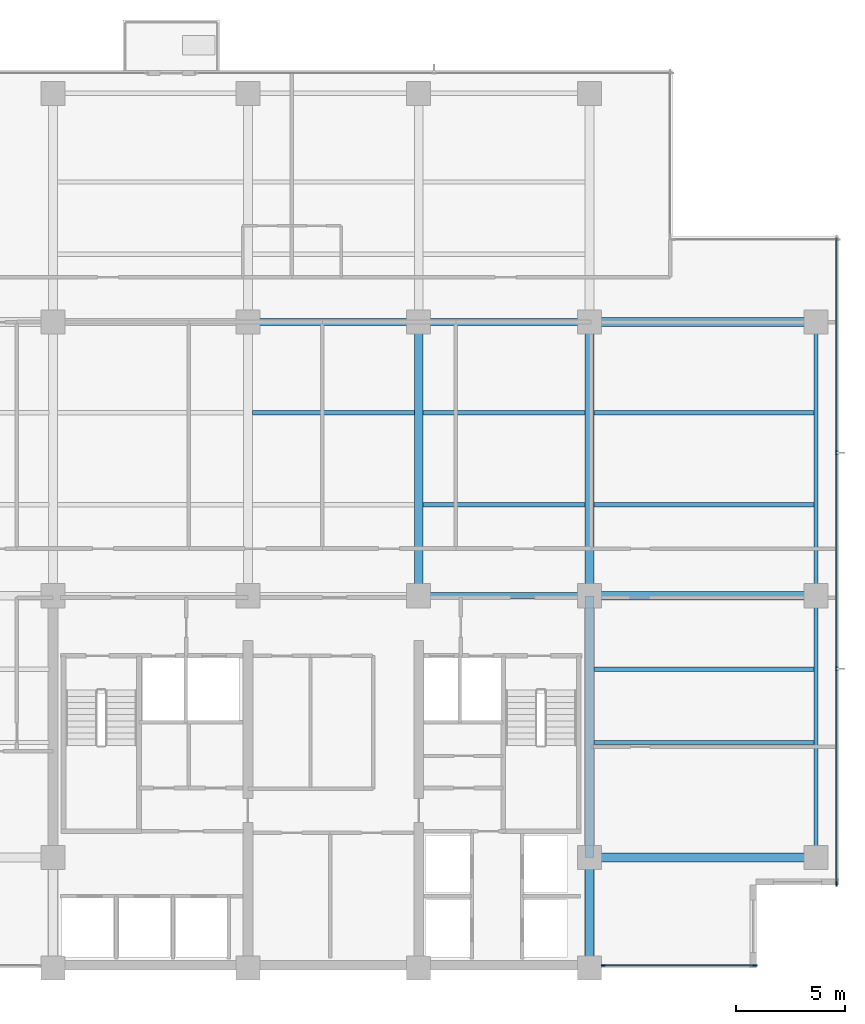
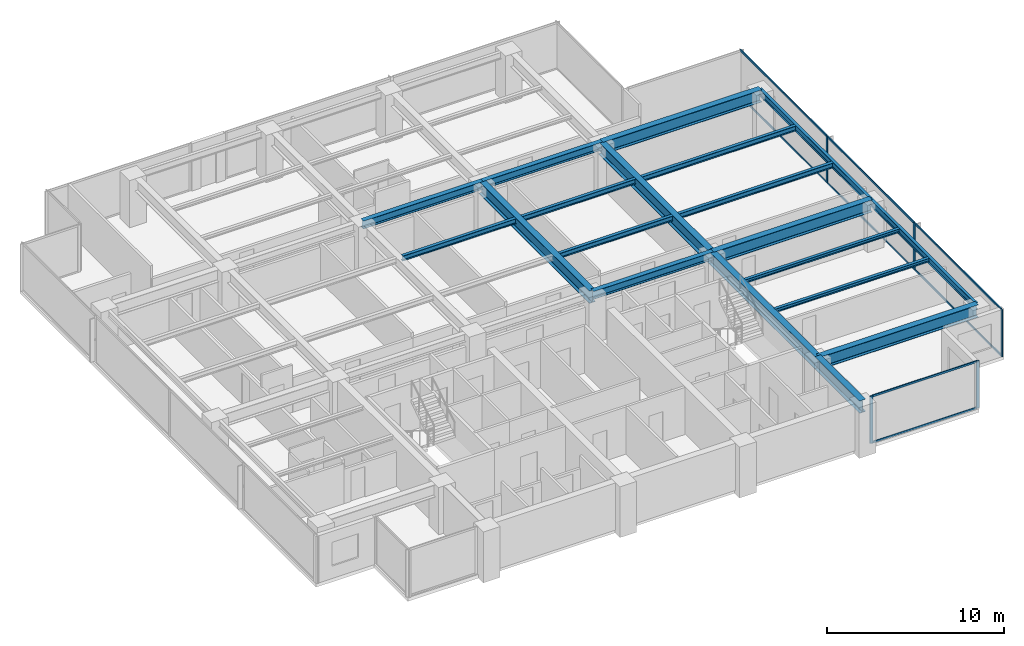
# One storey, part 3 of 14: 19 beams, 13 members, 2 elements without a shape of their own.
"""IFC4 building model written with IfcOpenShell, lengths in metres."""

from ifc_helpers import new_model, si_unit, direction, frame, origin, origin_2d, place, context, subcontext, project, spatial, rectangle, i_section, extrude, material, layer, layer_set, material_profile, profile_set, type_object, element, aggregate, save


model = new_model("IFC4")

# Units and contexts
model_context = context("Model", 3, precision=1e-05, world=origin(), true_north=direction((0.0, 1.0)))
body_context = subcontext(model_context, "Body", "Model", "MODEL_VIEW")
ifc_project = project(units=[si_unit("LENGTHUNIT", "METRE"), si_unit("AREAUNIT", "SQUARE_METRE"), si_unit("VOLUMEUNIT", "CUBIC_METRE"), si_unit("PLANEANGLEUNIT", "RADIAN"), si_unit("MASSUNIT", "GRAM", prefix="KILO")], contexts=[model_context])

# Site, building, storey
site_placement = place(None, origin())
site = spatial("IfcSite", under=ifc_project, at=site_placement, CompositionType="ELEMENT")
building_placement = place(site_placement, origin())
building = spatial("IfcBuilding", under=site, at=building_placement, Name="Qalmaran Belvedere Hotel", CompositionType="ELEMENT")
storey_placement = place(building_placement, frame((0.0, 0.0, 177.10009765625)))
storey = spatial("IfcBuildingStorey", under=building, at=storey_placement, Name="L45", CompositionType="ELEMENT", Elevation=177.10009765625)

# Beams
ifc_material_1 = material(Name="Steel S355JR", Category="steel")
ifc_material_profile_1 = material_profile(ifc_material_1, i_section(OverallWidth=0.201904296875, OverallDepth=0.2470703125, WebThickness=0.00732421875, FlangeThickness=0.010986328125, FilletRadius=0.011962890625, at=origin_2d()), Name="W250X49")
ifc_profile_set_1 = profile_set([ifc_material_profile_1], Name="Steel S355JR")
beam_type_1 = type_object("IfcBeamType", Name="BM-JST-W250X49", PredefinedType="JOIST", material=ifc_profile_set_1)
for number, where, z_axis, x_axis, name in (
    (1, (44.998046875, 13.800048828125, 3.12646484375), (1.0, 0.0, 0.0), (0.0, 1.0, 0.0), "L45 East Wing Joist 039"),
    (2, (44.998046875, 17.14990234375, 3.12646484375), (1.0, 0.0, 0.0), (0.0, 1.0, 0.0), "L45 East Wing Joist 041"),
):
    element("IfcBeam", number, at=place(storey_placement, frame(where, z_axis=z_axis, x_axis=x_axis)), inside=storey, type_object=beam_type_1, Name=name, PredefinedType="JOIST", context=body_context, shape_type="SweptSolid", body=[
        extrude(i_section(OverallWidth=0.201904296875, OverallDepth=0.2470703125, WebThickness=0.00732421875, FlangeThickness=0.010986328125, FilletRadius=0.011962890625, at=origin_2d()), origin(), (0.0, 0.0, 1.0), 10.057861328125),
    ])
ifc_material_profile_2 = material_profile(ifc_material_1, i_section(OverallWidth=0.39990234375, OverallDepth=0.85498046875, WebThickness=0.018310546875, FlangeThickness=0.029296875, FilletRadius=0.02392578125, at=origin_2d()), Name="W840X299")
ifc_profile_set_2 = profile_set([ifc_material_profile_2], Name="Steel S355JR")
beam_type_2 = type_object("IfcBeamType", Name="BM-PG3-W840X299", PredefinedType="USERDEFINED", material=ifc_profile_set_2)
for number, where, z_axis, x_axis, name in (
    (3, (37.0, 20.5, 2.822509765625), (0.0, 1.0, 0.0), (-1.0, 0.0, 0.0), "L45 Mid-Plate N-S Girder 18"),
    (4, (44.800048828125, 20.5, 2.822509765625), (0.0, 1.0, 0.0), (-1.0, 0.0, 0.0), "L45 Mid-Plate N-S Girder 20"),
):
    element("IfcBeam", number, at=place(storey_placement, frame(where, z_axis=z_axis, x_axis=x_axis)), inside=storey, type_object=beam_type_2, Name=name, ObjectType="GIRDER", PredefinedType="USERDEFINED", context=body_context, shape_type="SweptSolid", body=[
        extrude(i_section(OverallWidth=0.39990234375, OverallDepth=0.85498046875, WebThickness=0.018310546875, FlangeThickness=0.029296875, FilletRadius=0.02392578125, at=origin_2d()), origin(), (0.0, 0.0, 1.0), 12.5),
    ])
beam_1_placement = place(storey_placement, frame((44.800048828125, 3.5, 2.822509765625), z_axis=(0.0, 1.0, 0.0), x_axis=(-1.0, 0.0, 0.0)))
element("IfcBeam", 5, at=beam_1_placement, inside=storey, type_object=beam_type_2, Name="L45 East Core Edge Girder A", ObjectType="GIRDER", PredefinedType="USERDEFINED", context=body_context, shape_type="SweptSolid", body=[
    extrude(i_section(OverallWidth=0.39990234375, OverallDepth=0.85498046875, WebThickness=0.018310546875, FlangeThickness=0.029296875, FilletRadius=0.02392578125, at=origin_2d()), origin(), (0.0, 0.0, 1.0), 5.050048828125),
])
beam_2_placement = place(storey_placement, frame((44.800048828125, 8.550048828125, 2.822509765625), z_axis=(0.0, 1.0, 0.0), x_axis=(-1.0, 0.0, 0.0)))
element("IfcBeam", 6, at=beam_2_placement, inside=storey, type_object=beam_type_2, Name="L45 East Core Edge Girder B", ObjectType="GIRDER", PredefinedType="USERDEFINED", context=body_context, shape_type="SweptSolid", body=[
    extrude(i_section(OverallWidth=0.39990234375, OverallDepth=0.85498046875, WebThickness=0.018310546875, FlangeThickness=0.029296875, FilletRadius=0.02392578125, at=origin_2d()), origin(), (0.0, 0.0, 1.0), 11.949951171875),
])
for number, where, z_axis, x_axis, name in (
    (7, (44.800048828125, 8.550048828125, 2.822509765625), (1.0, 0.0, 0.0), (0.0, 1.0, 0.0), "L45 East Wing Girder 25"),
    (8, (44.800048828125, 20.5, 2.822509765625), (1.0, 0.0, 0.0), (0.0, 1.0, 0.0), "L45 East Wing Girder 26"),
    (9, (44.800048828125, 33.0, 2.822509765625), (1.0, 0.0, 0.0), (0.0, 1.0, 0.0), "L45 East Wing Girder 27"),
):
    element("IfcBeam", number, at=place(storey_placement, frame(where, z_axis=z_axis, x_axis=x_axis)), inside=storey, type_object=beam_type_2, Name=name, ObjectType="GIRDER", PredefinedType="USERDEFINED", context=body_context, shape_type="SweptSolid", body=[
        extrude(i_section(OverallWidth=0.39990234375, OverallDepth=0.85498046875, WebThickness=0.018310546875, FlangeThickness=0.029296875, FilletRadius=0.02392578125, at=origin_2d()), origin(), (0.0, 0.0, 1.0), 10.349853515625),
    ])
ifc_material_profile_3 = material_profile(ifc_material_1, i_section(OverallWidth=0.205078125, OverallDepth=0.35400390625, WebThickness=0.009521484375, FlangeThickness=0.016845703125, FilletRadius=0.014892578125, at=origin_2d()), Name="W360X79")
ifc_profile_set_3 = profile_set([ifc_material_profile_3], Name="Steel S355JR")
beam_type_3 = type_object("IfcBeamType", Name="BM-SB3-W360X79", PredefinedType="BEAM", material=ifc_profile_set_3)
beam_3_placement = place(storey_placement, frame((37.197998046875, 24.64990234375, 3.072998046875), z_axis=(1.0, 0.0, 0.0), x_axis=(0.0, 1.0, 0.0)))
element("IfcBeam", 10, at=beam_3_placement, inside=storey, type_object=beam_type_3, Name="L45 Secondary Floor Beam 031", PredefinedType="BEAM", context=body_context, shape_type="SweptSolid", body=[
    extrude(i_section(OverallWidth=0.205078125, OverallDepth=0.35400390625, WebThickness=0.009521484375, FlangeThickness=0.016845703125, FilletRadius=0.014892578125, at=origin_2d()), origin(), (0.0, 0.0, 1.0), 7.404052734375),
])
beam_4_placement = place(storey_placement, frame((44.998046875, 24.64990234375, 3.072998046875), z_axis=(1.0, 0.0, 0.0), x_axis=(0.0, 1.0, 0.0)))
element("IfcBeam", 11, at=beam_4_placement, inside=storey, type_object=beam_type_3, Name="L45 East Secondary Beam 032", PredefinedType="BEAM", context=body_context, shape_type="SweptSolid", body=[
    extrude(i_section(OverallWidth=0.205078125, OverallDepth=0.35400390625, WebThickness=0.009521484375, FlangeThickness=0.016845703125, FilletRadius=0.014892578125, at=origin_2d()), origin(), (0.0, 0.0, 1.0), 10.057861328125),
])
for number, where, z_axis, x_axis, name in (
    (12, (29.39794921875, 28.85009765625, 3.072998046875), (1.0, 0.0, 0.0), (0.0, 1.0, 0.0), "L45 Secondary Floor Beam 035"),
    (13, (37.197998046875, 28.85009765625, 3.072998046875), (1.0, 0.0, 0.0), (0.0, 1.0, 0.0), "L45 Secondary Floor Beam 036"),
):
    element("IfcBeam", number, at=place(storey_placement, frame(where, z_axis=z_axis, x_axis=x_axis)), inside=storey, type_object=beam_type_3, Name=name, PredefinedType="BEAM", context=body_context, shape_type="SweptSolid", body=[
        extrude(i_section(OverallWidth=0.205078125, OverallDepth=0.35400390625, WebThickness=0.009521484375, FlangeThickness=0.016845703125, FilletRadius=0.014892578125, at=origin_2d()), origin(), (0.0, 0.0, 1.0), 7.404052734375),
    ])
beam_5_placement = place(storey_placement, frame((44.998046875, 28.85009765625, 3.072998046875), z_axis=(1.0, 0.0, 0.0), x_axis=(0.0, 1.0, 0.0)))
element("IfcBeam", 14, at=beam_5_placement, inside=storey, type_object=beam_type_3, Name="L45 East Secondary Beam 037", PredefinedType="BEAM", context=body_context, shape_type="SweptSolid", body=[
    extrude(i_section(OverallWidth=0.205078125, OverallDepth=0.35400390625, WebThickness=0.009521484375, FlangeThickness=0.016845703125, FilletRadius=0.014892578125, at=origin_2d()), origin(), (0.0, 0.0, 1.0), 10.057861328125),
])
ifc_material_profile_4 = material_profile(ifc_material_1, i_section(OverallWidth=0.19189453125, OverallDepth=0.462890625, WebThickness=0.010498046875, FlangeThickness=0.017578125, FilletRadius=0.01611328125, at=origin_2d()), Name="W460X89")
ifc_profile_set_4 = profile_set([ifc_material_profile_4], Name="Steel S355JR")
beam_type_4 = type_object("IfcBeamType", Name="BM-SP2-W460X89", PredefinedType="SPANDREL", material=ifc_profile_set_4)
beam_6_placement = place(storey_placement, frame((55.14990234375, 8.550048828125, 3.018310546875), z_axis=(0.0, 1.0, 0.0), x_axis=(-1.0, 0.0, 0.0)))
element("IfcBeam", 15, at=beam_6_placement, inside=storey, type_object=beam_type_4, Name="L45 Perimeter Spandrel 03", PredefinedType="SPANDREL", context=body_context, shape_type="SweptSolid", body=[
    extrude(i_section(OverallWidth=0.19189453125, OverallDepth=0.462890625, WebThickness=0.010498046875, FlangeThickness=0.017578125, FilletRadius=0.01611328125, at=origin_2d()), origin(), (0.0, 0.0, 1.0), 11.949951171875),
])
beam_7_placement = place(storey_placement, frame((55.14990234375, 20.5, 3.018310546875), z_axis=(0.0, 1.0, 0.0), x_axis=(-1.0, 0.0, 0.0)))
element("IfcBeam", 16, at=beam_7_placement, inside=storey, type_object=beam_type_4, Name="L45 Perimeter Spandrel 04", PredefinedType="SPANDREL", context=body_context, shape_type="SweptSolid", body=[
    extrude(i_section(OverallWidth=0.19189453125, OverallDepth=0.462890625, WebThickness=0.010498046875, FlangeThickness=0.017578125, FilletRadius=0.01611328125, at=origin_2d()), origin(), (0.0, 0.0, 1.0), 12.5),
])
ifc_material_profile_5 = material_profile(ifc_material_1, i_section(OverallWidth=0.31201171875, OverallDepth=0.54296875, WebThickness=0.0126953125, FlangeThickness=0.020263671875, FilletRadius=0.01806640625, at=origin_2d()), Name="W530X150")
ifc_profile_set_5 = profile_set([ifc_material_profile_5], Name="Steel S355JR")
beam_type_5 = type_object("IfcBeamType", Name="BM-Z3-W530X150", PredefinedType="USERDEFINED", material=ifc_profile_set_5)
for number, where, z_axis, x_axis, name in (
    (17, (37.0, 20.5, 2.978515625), (1.0, 0.0, 0.0), (0.0, 1.0, 0.0), "L45 Interior E-W Girder 10"),
    (18, (29.199951171875, 33.0, 2.978515625), (1.0, 0.0, 0.0), (0.0, 1.0, 0.0), "L45 Interior E-W Girder 12"),
    (19, (37.0, 33.0, 2.978515625), (1.0, 0.0, 0.0), (0.0, 1.0, 0.0), "L45 Interior E-W Girder 13"),
):
    element("IfcBeam", number, at=place(storey_placement, frame(where, z_axis=z_axis, x_axis=x_axis)), inside=storey, type_object=beam_type_5, Name=name, ObjectType="GIRDER", PredefinedType="USERDEFINED", context=body_context, shape_type="SweptSolid", body=[
        extrude(i_section(OverallWidth=0.31201171875, OverallDepth=0.54296875, WebThickness=0.0126953125, FlangeThickness=0.020263671875, FilletRadius=0.01806640625, at=origin_2d()), origin(), (0.0, 0.0, 1.0), 7.800048828125),
    ])

# Curtain wall, members
ifc_material_2 = material(Name="Anodised Bronze Aluminium", Category="aluminium")
ifc_layer = layer(ifc_material_2, 0.195068359375, Name="Anodised Bronze Aluminium")
ifc_layer_set = layer_set([ifc_layer], Name="Anodised Bronze Aluminium")
curtain_wall_type = type_object("IfcCurtainWallType", Name="CW4-TOWER-HIGHMID", PredefinedType="NOTDEFINED", material=ifc_layer_set)
curtain_wall_1_placement = place(storey_placement, origin())
curtain_wall_1 = element("IfcCurtainWall", 20, at=curtain_wall_1_placement, inside=storey, type_object=curtain_wall_type, Name="L45 Curtain Wall CW4", PredefinedType="NOTDEFINED")
ifc_material_profile_6 = material_profile(ifc_material_2, rectangle(XDim=0.070068359375, YDim=0.18994140625, at=origin_2d()), Name="CWM70X190")
ifc_profile_set_6 = profile_set([ifc_material_profile_6], Name="Anodised Bronze Aluminium")
member_type_1 = type_object("IfcMemberType", Name="CWM-70X190", PredefinedType="MULLION", material=ifc_profile_set_6)
member_1_placement = place(storey_placement, frame((45.425048828125, 3.6201171875, 0.0), z_axis=(0.0, 0.0, 1.0), x_axis=(0.0, 1.0, 0.0)))
member_1 = element("IfcMember", 21, at=member_1_placement, type_object=member_type_1, Name="CW4 mullion 1", PredefinedType="MULLION", context=body_context, shape_type="SweptSolid", body=[
    extrude(rectangle(XDim=0.070068359375, YDim=0.18994140625, at=origin_2d()), origin(), (0.0, 0.0, 1.0), 3.25),
])
member_2_placement = place(storey_placement, frame((52.364990234375, 3.6201171875, 0.0), z_axis=(0.0, 0.0, 1.0), x_axis=(0.0, 1.0, 0.0)))
member_2 = element("IfcMember", 22, at=member_2_placement, type_object=member_type_1, Name="CW4 mullion 2", PredefinedType="MULLION", context=body_context, shape_type="SweptSolid", body=[
    extrude(rectangle(XDim=0.070068359375, YDim=0.18994140625, at=origin_2d()), origin(), (0.0, 0.0, 1.0), 3.25),
])

curtain_wall_2_placement = place(storey_placement, origin())
curtain_wall_2 = element("IfcCurtainWall", 23, at=curtain_wall_2_placement, inside=storey, type_object=curtain_wall_type, Name="L45 Curtain Wall CW4", PredefinedType="NOTDEFINED")
member_3_placement = place(storey_placement, frame((56.080078125, 7.3349609375, 0.0), z_axis=(0.0, 0.0, 1.0), x_axis=(-1.0, 0.0, 0.0)))
member_3 = element("IfcMember", 24, at=member_3_placement, type_object=member_type_1, Name="CW4 mullion 1", PredefinedType="MULLION", context=body_context, shape_type="SweptSolid", body=[
    extrude(rectangle(XDim=0.070068359375, YDim=0.18994140625, at=origin_2d()), origin(), (0.0, 0.0, 1.0), 3.25),
])
member_4_placement = place(storey_placement, frame((56.080078125, 17.166748046875, 0.0), z_axis=(0.0, 0.0, 1.0), x_axis=(-1.0, 0.0, 0.0)))
member_4 = element("IfcMember", 25, at=member_4_placement, type_object=member_type_1, Name="CW4 mullion 2", PredefinedType="MULLION", context=body_context, shape_type="SweptSolid", body=[
    extrude(rectangle(XDim=0.070068359375, YDim=0.18994140625, at=origin_2d()), origin(), (0.0, 0.0, 1.0), 3.25),
])
member_5_placement = place(storey_placement, frame((56.080078125, 27.033447265625, 0.0), z_axis=(0.0, 0.0, 1.0), x_axis=(-1.0, 0.0, 0.0)))
member_5 = element("IfcMember", 26, at=member_5_placement, type_object=member_type_1, Name="CW4 mullion 3", PredefinedType="MULLION", context=body_context, shape_type="SweptSolid", body=[
    extrude(rectangle(XDim=0.070068359375, YDim=0.18994140625, at=origin_2d()), origin(), (0.0, 0.0, 1.0), 3.25),
])

# Member
ifc_material_profile_7 = material_profile(ifc_material_2, rectangle(XDim=0.06494140625, YDim=0.1298828125, at=origin_2d()), Name="CWT65X130")
ifc_profile_set_7 = profile_set([ifc_material_profile_7], Name="Anodised Bronze Aluminium")
member_type_2 = type_object("IfcMemberType", Name="CWT-65X130", PredefinedType="USERDEFINED", material=ifc_profile_set_7)
member_6_placement = place(storey_placement, frame((45.4599609375, 3.6201171875, 0.032470703125), z_axis=(1.0, 0.0, 0.0), x_axis=(0.0, 1.0, 0.0)))
member_6 = element("IfcMember", 27, at=member_6_placement, type_object=member_type_2, Name="CW4 transom 1.1", ObjectType="TRANSOM", PredefinedType="USERDEFINED", context=body_context, shape_type="SweptSolid", body=[
    extrude(rectangle(XDim=0.06494140625, YDim=0.1298828125, at=origin_2d()), origin(), (0.0, 0.0, 1.0), 6.8701171875),
])

member_7_placement = place(storey_placement, frame((45.4599609375, 3.6201171875, 3.21728515625), z_axis=(1.0, 0.0, 0.0), x_axis=(0.0, 1.0, 0.0)))
member_7 = element("IfcMember", 28, at=member_7_placement, type_object=member_type_2, Name="CW4 transom 1.2", ObjectType="TRANSOM", PredefinedType="USERDEFINED", context=body_context, shape_type="SweptSolid", body=[
    extrude(rectangle(XDim=0.06494140625, YDim=0.1298828125, at=origin_2d()), origin(), (0.0, 0.0, 1.0), 6.8701171875),
])

aggregate(curtain_wall_1, [member_1, member_2, member_6, member_7])

member_8_placement = place(storey_placement, frame((56.080078125, 7.3701171875, 0.032470703125), z_axis=(0.0, 1.0, 0.0), x_axis=(-1.0, 0.0, 0.0)))
member_8 = element("IfcMember", 29, at=member_8_placement, type_object=member_type_2, Name="CW4 transom 1.1", ObjectType="TRANSOM", PredefinedType="USERDEFINED", context=body_context, shape_type="SweptSolid", body=[
    extrude(rectangle(XDim=0.06494140625, YDim=0.1298828125, at=origin_2d()), origin(), (0.0, 0.0, 1.0), 9.761474609375),
])

member_9_placement = place(storey_placement, frame((56.080078125, 7.3701171875, 3.21728515625), z_axis=(0.0, 1.0, 0.0), x_axis=(-1.0, 0.0, 0.0)))
member_9 = element("IfcMember", 30, at=member_9_placement, type_object=member_type_2, Name="CW4 transom 1.2", ObjectType="TRANSOM", PredefinedType="USERDEFINED", context=body_context, shape_type="SweptSolid", body=[
    extrude(rectangle(XDim=0.06494140625, YDim=0.1298828125, at=origin_2d()), origin(), (0.0, 0.0, 1.0), 9.761474609375),
])

member_10_placement = place(storey_placement, frame((56.080078125, 17.20166015625, 0.032470703125), z_axis=(0.0, 1.0, 0.0), x_axis=(-1.0, 0.0, 0.0)))
member_10 = element("IfcMember", 31, at=member_10_placement, type_object=member_type_2, Name="CW4 transom 2.1", ObjectType="TRANSOM", PredefinedType="USERDEFINED", context=body_context, shape_type="SweptSolid", body=[
    extrude(rectangle(XDim=0.06494140625, YDim=0.1298828125, at=origin_2d()), origin(), (0.0, 0.0, 1.0), 9.796630859375),
])

member_11_placement = place(storey_placement, frame((56.080078125, 17.20166015625, 3.21728515625), z_axis=(0.0, 1.0, 0.0), x_axis=(-1.0, 0.0, 0.0)))
member_11 = element("IfcMember", 32, at=member_11_placement, type_object=member_type_2, Name="CW4 transom 2.2", ObjectType="TRANSOM", PredefinedType="USERDEFINED", context=body_context, shape_type="SweptSolid", body=[
    extrude(rectangle(XDim=0.06494140625, YDim=0.1298828125, at=origin_2d()), origin(), (0.0, 0.0, 1.0), 9.796630859375),
])

member_12_placement = place(storey_placement, frame((56.080078125, 27.068359375, 0.032470703125), z_axis=(0.0, 1.0, 0.0), x_axis=(-1.0, 0.0, 0.0)))
member_12 = element("IfcMember", 33, at=member_12_placement, type_object=member_type_2, Name="CW4 transom 3.1", ObjectType="TRANSOM", PredefinedType="USERDEFINED", context=body_context, shape_type="SweptSolid", body=[
    extrude(rectangle(XDim=0.06494140625, YDim=0.1298828125, at=origin_2d()), origin(), (0.0, 0.0, 1.0), 9.76171875),
])

member_13_placement = place(storey_placement, frame((56.080078125, 27.068359375, 3.21728515625), z_axis=(0.0, 1.0, 0.0), x_axis=(-1.0, 0.0, 0.0)))
member_13 = element("IfcMember", 34, at=member_13_placement, type_object=member_type_2, Name="CW4 transom 3.2", ObjectType="TRANSOM", PredefinedType="USERDEFINED", context=body_context, shape_type="SweptSolid", body=[
    extrude(rectangle(XDim=0.06494140625, YDim=0.1298828125, at=origin_2d()), origin(), (0.0, 0.0, 1.0), 9.76171875),
])

aggregate(curtain_wall_2, [member_3, member_4, member_5, member_8, member_9, member_10, member_11, member_12, member_13])

save(model, "model.ifc")
